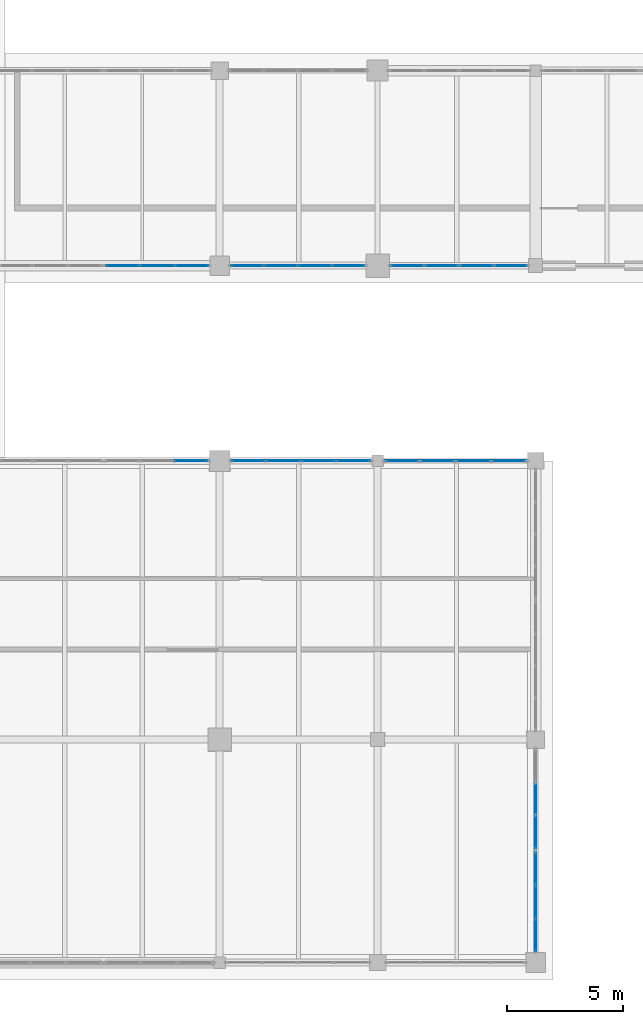
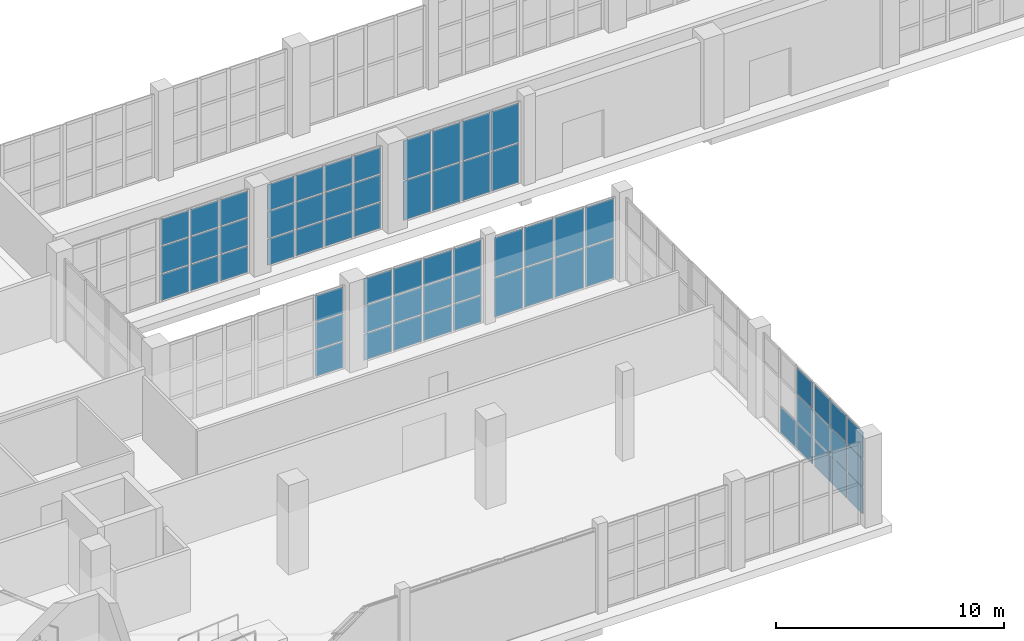
# One storey, part 86 of 121: 65 plates, 8 elements without a shape of their own.
"""IFC4 building model written with IfcOpenShell, lengths in metres."""

from ifc_helpers import new_model, si_unit, direction, frame, origin, origin_2d, place, context, subcontext, project, spatial, rectangle, extrude, material, layer, layer_set, type_object, element, aggregate, save


model = new_model("IFC4")

# Units and contexts
model_context = context("Model", 3, precision=1e-05, world=origin(), true_north=direction((0.0, 1.0)))
body_context = subcontext(model_context, "Body", "Model", "MODEL_VIEW")
ifc_project = project(units=[si_unit("LENGTHUNIT", "METRE"), si_unit("AREAUNIT", "SQUARE_METRE"), si_unit("VOLUMEUNIT", "CUBIC_METRE"), si_unit("PLANEANGLEUNIT", "RADIAN"), si_unit("MASSUNIT", "GRAM", prefix="KILO")], contexts=[model_context])

# Site, building, storey
site_placement = place(None, origin())
site = spatial("IfcSite", under=ifc_project, at=site_placement, CompositionType="ELEMENT")
building_placement = place(site_placement, origin())
building = spatial("IfcBuilding", under=site, at=building_placement, Name="Zereglee Splitstone Museum", CompositionType="ELEMENT")
storey_placement = place(building_placement, origin())
storey = spatial("IfcBuildingStorey", under=building, at=storey_placement, Name="L00", CompositionType="ELEMENT", Elevation=0.0)

# Curtain wall, plates
ifc_material_1 = material(Name="Triple-glazed low-E argon glass and bronze-anodised aluminium", Category="aluminium")
ifc_layer_1 = layer(ifc_material_1, 0.179931640625)
ifc_layer_set_1 = layer_set([ifc_layer_1], Name="Triple-glazed low-E argon glass and bronze-anodised aluminium")
curtain_wall_type_1 = type_object("IfcCurtainWallType", Name="CW-0435-450", PredefinedType="USERDEFINED", material=ifc_layer_set_1)
curtain_wall_1_placement = place(storey_placement, origin())
curtain_wall_1 = element("IfcCurtainWall", 1, at=curtain_wall_1_placement, inside=storey, type_object=curtain_wall_type_1, Name="Glazed Curtain Wall CW-0435-450 (L00)", ObjectType="GLAZED CURTAIN WALL", PredefinedType="USERDEFINED")
ifc_material_2 = material(Name="Triple low-e argon insulated safety glass", Category="glass")
ifc_layer_2 = layer(ifc_material_2, 0.035888671875)
ifc_layer_set_2 = layer_set([ifc_layer_2], Name="Triple low-e argon insulated safety glass")
plate_type = type_object("IfcPlateType", Name="CWP-01", PredefinedType="CURTAIN_PANEL", material=ifc_layer_set_2)
plate_1_placement = place(storey_placement, frame((228.800048828125, 1.174560546875, 0.06494140625), z_axis=(0.0, 0.0, 1.0), x_axis=(0.0, 1.0, 0.0)))
plate_1 = element("IfcPlate", 2, at=plate_1_placement, type_object=plate_type, Name="CW-0435-450 panel 1.1", PredefinedType="CURTAIN_PANEL", context=body_context, shape_type="SweptSolid", body=[
    extrude(rectangle(XDim=1.353271484375, YDim=0.035888671875, at=origin_2d()), origin(), (0.0, 0.0, 1.0), 1.402587890625),
])
plate_2_placement = place(storey_placement, frame((228.800048828125, 1.174560546875, 1.532470703125), z_axis=(0.0, 0.0, 1.0), x_axis=(0.0, 1.0, 0.0)))
plate_2 = element("IfcPlate", 3, at=plate_2_placement, type_object=plate_type, Name="CW-0435-450 panel 1.2", PredefinedType="CURTAIN_PANEL", context=body_context, shape_type="SweptSolid", body=[
    extrude(rectangle(XDim=1.353271484375, YDim=0.035888671875, at=origin_2d()), origin(), (0.0, 0.0, 1.0), 1.43505859375),
])
plate_3_placement = place(storey_placement, frame((228.800048828125, 1.174560546875, 3.0322265625), z_axis=(0.0, 0.0, 1.0), x_axis=(0.0, 1.0, 0.0)))
plate_3 = element("IfcPlate", 4, at=plate_3_placement, type_object=plate_type, Name="CW-0435-450 panel 1.3", PredefinedType="CURTAIN_PANEL", context=body_context, shape_type="SweptSolid", body=[
    extrude(rectangle(XDim=1.353271484375, YDim=0.035888671875, at=origin_2d()), origin(), (0.0, 0.0, 1.0), 1.402587890625),
])
plate_4_placement = place(storey_placement, frame((228.800048828125, 2.60888671875, 0.06494140625), z_axis=(0.0, 0.0, 1.0), x_axis=(0.0, 1.0, 0.0)))
plate_4 = element("IfcPlate", 5, at=plate_4_placement, type_object=plate_type, Name="CW-0435-450 panel 2.1", PredefinedType="CURTAIN_PANEL", context=body_context, shape_type="SweptSolid", body=[
    extrude(rectangle(XDim=1.3857421875, YDim=0.035888671875, at=origin_2d()), origin(), (0.0, 0.0, 1.0), 1.402587890625),
])
plate_5_placement = place(storey_placement, frame((228.800048828125, 2.60888671875, 1.532470703125), z_axis=(0.0, 0.0, 1.0), x_axis=(0.0, 1.0, 0.0)))
plate_5 = element("IfcPlate", 6, at=plate_5_placement, type_object=plate_type, Name="CW-0435-450 panel 2.2", PredefinedType="CURTAIN_PANEL", context=body_context, shape_type="SweptSolid", body=[
    extrude(rectangle(XDim=1.3857421875, YDim=0.035888671875, at=origin_2d()), origin(), (0.0, 0.0, 1.0), 1.43505859375),
])
plate_6_placement = place(storey_placement, frame((228.800048828125, 2.60888671875, 3.0322265625), z_axis=(0.0, 0.0, 1.0), x_axis=(0.0, 1.0, 0.0)))
plate_6 = element("IfcPlate", 7, at=plate_6_placement, type_object=plate_type, Name="CW-0435-450 panel 2.3", PredefinedType="CURTAIN_PANEL", context=body_context, shape_type="SweptSolid", body=[
    extrude(rectangle(XDim=1.3857421875, YDim=0.035888671875, at=origin_2d()), origin(), (0.0, 0.0, 1.0), 1.402587890625),
])
plate_7_placement = place(storey_placement, frame((228.800048828125, 4.04345703125, 0.06494140625), z_axis=(0.0, 0.0, 1.0), x_axis=(0.0, 1.0, 0.0)))
plate_7 = element("IfcPlate", 8, at=plate_7_placement, type_object=plate_type, Name="CW-0435-450 panel 3.1", PredefinedType="CURTAIN_PANEL", context=body_context, shape_type="SweptSolid", body=[
    extrude(rectangle(XDim=1.353271484375, YDim=0.035888671875, at=origin_2d()), origin(), (0.0, 0.0, 1.0), 1.402587890625),
])
plate_8_placement = place(storey_placement, frame((228.800048828125, 4.04345703125, 1.532470703125), z_axis=(0.0, 0.0, 1.0), x_axis=(0.0, 1.0, 0.0)))
plate_8 = element("IfcPlate", 9, at=plate_8_placement, type_object=plate_type, Name="CW-0435-450 panel 3.2", PredefinedType="CURTAIN_PANEL", context=body_context, shape_type="SweptSolid", body=[
    extrude(rectangle(XDim=1.353271484375, YDim=0.035888671875, at=origin_2d()), origin(), (0.0, 0.0, 1.0), 1.43505859375),
])
plate_9_placement = place(storey_placement, frame((228.800048828125, 4.04345703125, 3.0322265625), z_axis=(0.0, 0.0, 1.0), x_axis=(0.0, 1.0, 0.0)))
plate_9 = element("IfcPlate", 10, at=plate_9_placement, type_object=plate_type, Name="CW-0435-450 panel 3.3", PredefinedType="CURTAIN_PANEL", context=body_context, shape_type="SweptSolid", body=[
    extrude(rectangle(XDim=1.353271484375, YDim=0.035888671875, at=origin_2d()), origin(), (0.0, 0.0, 1.0), 1.402587890625),
])
aggregate(curtain_wall_1, [plate_1, plate_2, plate_3, plate_4, plate_5, plate_6, plate_7, plate_8, plate_9])

ifc_layer_3 = layer(ifc_material_1, 0.179931640625)
ifc_layer_set_3 = layer_set([ifc_layer_3], Name="Triple-glazed low-E argon glass and bronze-anodised aluminium")
curtain_wall_type_2 = type_object("IfcCurtainWallType", Name="CW-0435-448", PredefinedType="USERDEFINED", material=ifc_layer_set_3)
curtain_wall_2_placement = place(storey_placement, origin())
curtain_wall_2 = element("IfcCurtainWall", 11, at=curtain_wall_2_placement, inside=storey, type_object=curtain_wall_type_2, Name="Glazed Curtain Wall CW-0435-448 (L00)", ObjectType="GLAZED CURTAIN WALL", PredefinedType="USERDEFINED")
plate_10_placement = place(storey_placement, frame((228.800048828125, 5.606689453125, 0.06494140625), z_axis=(0.0, 0.0, 1.0), x_axis=(0.0, 1.0, 0.0)))
plate_10 = element("IfcPlate", 12, at=plate_10_placement, type_object=plate_type, Name="CW-0435-448 panel 1.1", PredefinedType="CURTAIN_PANEL", context=body_context, shape_type="SweptSolid", body=[
    extrude(rectangle(XDim=1.353271484375, YDim=0.035888671875, at=origin_2d()), origin(), (0.0, 0.0, 1.0), 1.395751953125),
])
plate_11_placement = place(storey_placement, frame((228.800048828125, 5.606689453125, 1.52587890625), z_axis=(0.0, 0.0, 1.0), x_axis=(0.0, 1.0, 0.0)))
plate_11 = element("IfcPlate", 13, at=plate_11_placement, type_object=plate_type, Name="CW-0435-448 panel 1.2", PredefinedType="CURTAIN_PANEL", context=body_context, shape_type="SweptSolid", body=[
    extrude(rectangle(XDim=1.353271484375, YDim=0.035888671875, at=origin_2d()), origin(), (0.0, 0.0, 1.0), 1.428466796875),
])
plate_12_placement = place(storey_placement, frame((228.800048828125, 5.606689453125, 3.01904296875), z_axis=(0.0, 0.0, 1.0), x_axis=(0.0, 1.0, 0.0)))
plate_12 = element("IfcPlate", 14, at=plate_12_placement, type_object=plate_type, Name="CW-0435-448 panel 1.3", PredefinedType="CURTAIN_PANEL", context=body_context, shape_type="SweptSolid", body=[
    extrude(rectangle(XDim=1.353271484375, YDim=0.035888671875, at=origin_2d()), origin(), (0.0, 0.0, 1.0), 1.395751953125),
])
plate_13_placement = place(storey_placement, frame((228.800048828125, 7.041015625, 0.06494140625), z_axis=(0.0, 0.0, 1.0), x_axis=(0.0, 1.0, 0.0)))
plate_13 = element("IfcPlate", 15, at=plate_13_placement, type_object=plate_type, Name="CW-0435-448 panel 2.1", PredefinedType="CURTAIN_PANEL", context=body_context, shape_type="SweptSolid", body=[
    extrude(rectangle(XDim=1.3857421875, YDim=0.035888671875, at=origin_2d()), origin(), (0.0, 0.0, 1.0), 1.395751953125),
])
aggregate(curtain_wall_2, [plate_10, plate_11, plate_12, plate_13])

ifc_layer_4 = layer(ifc_material_1, 0.179931640625)
ifc_layer_set_4 = layer_set([ifc_layer_4], Name="Triple-glazed low-E argon glass and bronze-anodised aluminium")
curtain_wall_type_3 = type_object("IfcCurtainWallType", Name="CW-0618-438", PredefinedType="USERDEFINED", material=ifc_layer_set_4)
curtain_wall_3_placement = place(storey_placement, origin())
curtain_wall_3 = element("IfcCurtainWall", 16, at=curtain_wall_3_placement, inside=storey, type_object=curtain_wall_type_3, Name="Glazed Curtain Wall CW-0618-438 (L00)", ObjectType="GLAZED CURTAIN WALL", PredefinedType="USERDEFINED")
plate_14_placement = place(storey_placement, frame((227.65283203125, 21.60009765625, 0.06494140625), z_axis=(0.0, 0.0, 1.0), x_axis=(-1.0, 0.0, 0.0)))
plate_14 = element("IfcPlate", 17, at=plate_14_placement, type_object=plate_type, Name="CW-0618-438 panel 1.1", PredefinedType="CURTAIN_PANEL", context=body_context, shape_type="SweptSolid", body=[
    extrude(rectangle(XDim=1.448486328125, YDim=0.035888671875, at=origin_2d()), origin(), (0.0, 0.0, 1.0), 2.092529296875),
])
plate_15_placement = place(storey_placement, frame((227.65283203125, 21.60009765625, 2.22265625), z_axis=(0.0, 0.0, 1.0), x_axis=(-1.0, 0.0, 0.0)))
plate_15 = element("IfcPlate", 18, at=plate_15_placement, type_object=plate_type, Name="CW-0618-438 panel 1.2", PredefinedType="CURTAIN_PANEL", context=body_context, shape_type="SweptSolid", body=[
    extrude(rectangle(XDim=1.448486328125, YDim=0.035888671875, at=origin_2d()), origin(), (0.0, 0.0, 1.0), 2.092529296875),
])
plate_16_placement = place(storey_placement, frame((226.123046875, 21.60009765625, 0.06494140625), z_axis=(0.0, 0.0, 1.0), x_axis=(-1.0, 0.0, 0.0)))
plate_16 = element("IfcPlate", 19, at=plate_16_placement, type_object=plate_type, Name="CW-0618-438 panel 2.1", PredefinedType="CURTAIN_PANEL", context=body_context, shape_type="SweptSolid", body=[
    extrude(rectangle(XDim=1.48095703125, YDim=0.035888671875, at=origin_2d()), origin(), (0.0, 0.0, 1.0), 2.092529296875),
])
plate_17_placement = place(storey_placement, frame((226.123046875, 21.60009765625, 2.22265625), z_axis=(0.0, 0.0, 1.0), x_axis=(-1.0, 0.0, 0.0)))
plate_17 = element("IfcPlate", 20, at=plate_17_placement, type_object=plate_type, Name="CW-0618-438 panel 2.2", PredefinedType="CURTAIN_PANEL", context=body_context, shape_type="SweptSolid", body=[
    extrude(rectangle(XDim=1.48095703125, YDim=0.035888671875, at=origin_2d()), origin(), (0.0, 0.0, 1.0), 2.092529296875),
])
plate_18_placement = place(storey_placement, frame((224.576904296875, 21.60009765625, 0.06494140625), z_axis=(0.0, 0.0, 1.0), x_axis=(-1.0, 0.0, 0.0)))
plate_18 = element("IfcPlate", 21, at=plate_18_placement, type_object=plate_type, Name="CW-0618-438 panel 3.1", PredefinedType="CURTAIN_PANEL", context=body_context, shape_type="SweptSolid", body=[
    extrude(rectangle(XDim=1.48095703125, YDim=0.035888671875, at=origin_2d()), origin(), (0.0, 0.0, 1.0), 2.092529296875),
])
plate_19_placement = place(storey_placement, frame((224.576904296875, 21.60009765625, 2.22265625), z_axis=(0.0, 0.0, 1.0), x_axis=(-1.0, 0.0, 0.0)))
plate_19 = element("IfcPlate", 22, at=plate_19_placement, type_object=plate_type, Name="CW-0618-438 panel 3.2", PredefinedType="CURTAIN_PANEL", context=body_context, shape_type="SweptSolid", body=[
    extrude(rectangle(XDim=1.48095703125, YDim=0.035888671875, at=origin_2d()), origin(), (0.0, 0.0, 1.0), 2.092529296875),
])
plate_20_placement = place(storey_placement, frame((223.04736328125, 21.60009765625, 0.06494140625), z_axis=(0.0, 0.0, 1.0), x_axis=(-1.0, 0.0, 0.0)))
plate_20 = element("IfcPlate", 23, at=plate_20_placement, type_object=plate_type, Name="CW-0618-438 panel 4.1", PredefinedType="CURTAIN_PANEL", context=body_context, shape_type="SweptSolid", body=[
    extrude(rectangle(XDim=1.448486328125, YDim=0.035888671875, at=origin_2d()), origin(), (0.0, 0.0, 1.0), 2.092529296875),
])
plate_21_placement = place(storey_placement, frame((223.04736328125, 21.60009765625, 2.22265625), z_axis=(0.0, 0.0, 1.0), x_axis=(-1.0, 0.0, 0.0)))
plate_21 = element("IfcPlate", 24, at=plate_21_placement, type_object=plate_type, Name="CW-0618-438 panel 4.2", PredefinedType="CURTAIN_PANEL", context=body_context, shape_type="SweptSolid", body=[
    extrude(rectangle(XDim=1.448486328125, YDim=0.035888671875, at=origin_2d()), origin(), (0.0, 0.0, 1.0), 2.092529296875),
])
aggregate(curtain_wall_3, [plate_14, plate_15, plate_16, plate_17, plate_18, plate_19, plate_20, plate_21])

ifc_layer_5 = layer(ifc_material_1, 0.179931640625)
ifc_layer_set_5 = layer_set([ifc_layer_5], Name="Triple-glazed low-E argon glass and bronze-anodised aluminium")
curtain_wall_type_4 = type_object("IfcCurtainWallType", Name="CW-0608-450", PredefinedType="USERDEFINED", material=ifc_layer_set_5)
curtain_wall_4_placement = place(storey_placement, origin())
curtain_wall_4 = element("IfcCurtainWall", 25, at=curtain_wall_4_placement, inside=storey, type_object=curtain_wall_type_4, Name="Glazed Curtain Wall CW-0608-450 (L00)", ObjectType="GLAZED CURTAIN WALL", PredefinedType="USERDEFINED")
plate_22_placement = place(storey_placement, frame((220.96533203125, 21.60009765625, 0.06494140625), z_axis=(0.0, 0.0, 1.0), x_axis=(-1.0, 0.0, 0.0)))
plate_22 = element("IfcPlate", 26, at=plate_22_placement, type_object=plate_type, Name="CW-0608-450 panel 1.1", PredefinedType="CURTAIN_PANEL", context=body_context, shape_type="SweptSolid", body=[
    extrude(rectangle(XDim=1.423583984375, YDim=0.035888671875, at=origin_2d()), origin(), (0.0, 0.0, 1.0), 1.402587890625),
])
plate_23_placement = place(storey_placement, frame((220.96533203125, 21.60009765625, 1.532470703125), z_axis=(0.0, 0.0, 1.0), x_axis=(-1.0, 0.0, 0.0)))
plate_23 = element("IfcPlate", 27, at=plate_23_placement, type_object=plate_type, Name="CW-0608-450 panel 1.2", PredefinedType="CURTAIN_PANEL", context=body_context, shape_type="SweptSolid", body=[
    extrude(rectangle(XDim=1.423583984375, YDim=0.035888671875, at=origin_2d()), origin(), (0.0, 0.0, 1.0), 1.43505859375),
])
plate_24_placement = place(storey_placement, frame((220.96533203125, 21.60009765625, 3.0322265625), z_axis=(0.0, 0.0, 1.0), x_axis=(-1.0, 0.0, 0.0)))
plate_24 = element("IfcPlate", 28, at=plate_24_placement, type_object=plate_type, Name="CW-0608-450 panel 1.3", PredefinedType="CURTAIN_PANEL", context=body_context, shape_type="SweptSolid", body=[
    extrude(rectangle(XDim=1.423583984375, YDim=0.035888671875, at=origin_2d()), origin(), (0.0, 0.0, 1.0), 1.402587890625),
])
plate_25_placement = place(storey_placement, frame((219.46044921875, 21.60009765625, 0.06494140625), z_axis=(0.0, 0.0, 1.0), x_axis=(-1.0, 0.0, 0.0)))
plate_25 = element("IfcPlate", 29, at=plate_25_placement, type_object=plate_type, Name="CW-0608-450 panel 2.1", PredefinedType="CURTAIN_PANEL", context=body_context, shape_type="SweptSolid", body=[
    extrude(rectangle(XDim=1.4560546875, YDim=0.035888671875, at=origin_2d()), origin(), (0.0, 0.0, 1.0), 1.402587890625),
])
plate_26_placement = place(storey_placement, frame((219.46044921875, 21.60009765625, 1.532470703125), z_axis=(0.0, 0.0, 1.0), x_axis=(-1.0, 0.0, 0.0)))
plate_26 = element("IfcPlate", 30, at=plate_26_placement, type_object=plate_type, Name="CW-0608-450 panel 2.2", PredefinedType="CURTAIN_PANEL", context=body_context, shape_type="SweptSolid", body=[
    extrude(rectangle(XDim=1.4560546875, YDim=0.035888671875, at=origin_2d()), origin(), (0.0, 0.0, 1.0), 1.43505859375),
])
plate_27_placement = place(storey_placement, frame((219.46044921875, 21.60009765625, 3.0322265625), z_axis=(0.0, 0.0, 1.0), x_axis=(-1.0, 0.0, 0.0)))
plate_27 = element("IfcPlate", 31, at=plate_27_placement, type_object=plate_type, Name="CW-0608-450 panel 2.3", PredefinedType="CURTAIN_PANEL", context=body_context, shape_type="SweptSolid", body=[
    extrude(rectangle(XDim=1.4560546875, YDim=0.035888671875, at=origin_2d()), origin(), (0.0, 0.0, 1.0), 1.402587890625),
])
plate_28_placement = place(storey_placement, frame((217.939453125, 21.60009765625, 0.06494140625), z_axis=(0.0, 0.0, 1.0), x_axis=(-1.0, 0.0, 0.0)))
plate_28 = element("IfcPlate", 32, at=plate_28_placement, type_object=plate_type, Name="CW-0608-450 panel 3.1", PredefinedType="CURTAIN_PANEL", context=body_context, shape_type="SweptSolid", body=[
    extrude(rectangle(XDim=1.4560546875, YDim=0.035888671875, at=origin_2d()), origin(), (0.0, 0.0, 1.0), 1.402587890625),
])
plate_29_placement = place(storey_placement, frame((217.939453125, 21.60009765625, 1.532470703125), z_axis=(0.0, 0.0, 1.0), x_axis=(-1.0, 0.0, 0.0)))
plate_29 = element("IfcPlate", 33, at=plate_29_placement, type_object=plate_type, Name="CW-0608-450 panel 3.2", PredefinedType="CURTAIN_PANEL", context=body_context, shape_type="SweptSolid", body=[
    extrude(rectangle(XDim=1.4560546875, YDim=0.035888671875, at=origin_2d()), origin(), (0.0, 0.0, 1.0), 1.43505859375),
])
plate_30_placement = place(storey_placement, frame((217.939453125, 21.60009765625, 3.0322265625), z_axis=(0.0, 0.0, 1.0), x_axis=(-1.0, 0.0, 0.0)))
plate_30 = element("IfcPlate", 34, at=plate_30_placement, type_object=plate_type, Name="CW-0608-450 panel 3.3", PredefinedType="CURTAIN_PANEL", context=body_context, shape_type="SweptSolid", body=[
    extrude(rectangle(XDim=1.4560546875, YDim=0.035888671875, at=origin_2d()), origin(), (0.0, 0.0, 1.0), 1.402587890625),
])
plate_31_placement = place(storey_placement, frame((216.434814453125, 21.60009765625, 0.06494140625), z_axis=(0.0, 0.0, 1.0), x_axis=(-1.0, 0.0, 0.0)))
plate_31 = element("IfcPlate", 35, at=plate_31_placement, type_object=plate_type, Name="CW-0608-450 panel 4.1", PredefinedType="CURTAIN_PANEL", context=body_context, shape_type="SweptSolid", body=[
    extrude(rectangle(XDim=1.423583984375, YDim=0.035888671875, at=origin_2d()), origin(), (0.0, 0.0, 1.0), 1.402587890625),
])
plate_32_placement = place(storey_placement, frame((216.434814453125, 21.60009765625, 1.532470703125), z_axis=(0.0, 0.0, 1.0), x_axis=(-1.0, 0.0, 0.0)))
plate_32 = element("IfcPlate", 36, at=plate_32_placement, type_object=plate_type, Name="CW-0608-450 panel 4.2", PredefinedType="CURTAIN_PANEL", context=body_context, shape_type="SweptSolid", body=[
    extrude(rectangle(XDim=1.423583984375, YDim=0.035888671875, at=origin_2d()), origin(), (0.0, 0.0, 1.0), 1.43505859375),
])
plate_33_placement = place(storey_placement, frame((216.434814453125, 21.60009765625, 3.0322265625), z_axis=(0.0, 0.0, 1.0), x_axis=(-1.0, 0.0, 0.0)))
plate_33 = element("IfcPlate", 37, at=plate_33_placement, type_object=plate_type, Name="CW-0608-450 panel 4.3", PredefinedType="CURTAIN_PANEL", context=body_context, shape_type="SweptSolid", body=[
    extrude(rectangle(XDim=1.423583984375, YDim=0.035888671875, at=origin_2d()), origin(), (0.0, 0.0, 1.0), 1.402587890625),
])
aggregate(curtain_wall_4, [plate_22, plate_23, plate_24, plate_25, plate_26, plate_27, plate_28, plate_29, plate_30, plate_31, plate_32, plate_33])

ifc_layer_6 = layer(ifc_material_1, 0.179931640625)
ifc_layer_set_6 = layer_set([ifc_layer_6], Name="Triple-glazed low-E argon glass and bronze-anodised aluminium")
curtain_wall_type_5 = type_object("IfcCurtainWallType", Name="CW-0450-444", PredefinedType="USERDEFINED", material=ifc_layer_set_6)
curtain_wall_5_placement = place(storey_placement, origin())
curtain_wall_5 = element("IfcCurtainWall", 38, at=curtain_wall_5_placement, inside=storey, type_object=curtain_wall_type_5, Name="Glazed Curtain Wall CW-0450-444 (L00)", ObjectType="GLAZED CURTAIN WALL", PredefinedType="USERDEFINED")
plate_34_placement = place(storey_placement, frame((213.975341796875, 21.60009765625, 0.06494140625), z_axis=(0.0, 0.0, 1.0), x_axis=(-1.0, 0.0, 0.0)))
plate_34 = element("IfcPlate", 39, at=plate_34_placement, type_object=plate_type, Name="CW-0450-444 panel 1.1", PredefinedType="CURTAIN_PANEL", context=body_context, shape_type="SweptSolid", body=[
    extrude(rectangle(XDim=1.403076171875, YDim=0.035888671875, at=origin_2d()), origin(), (0.0, 0.0, 1.0), 1.382568359375),
])
plate_35_placement = place(storey_placement, frame((213.975341796875, 21.60009765625, 1.512451171875), z_axis=(0.0, 0.0, 1.0), x_axis=(-1.0, 0.0, 0.0)))
plate_35 = element("IfcPlate", 40, at=plate_35_placement, type_object=plate_type, Name="CW-0450-444 panel 1.2", PredefinedType="CURTAIN_PANEL", context=body_context, shape_type="SweptSolid", body=[
    extrude(rectangle(XDim=1.403076171875, YDim=0.035888671875, at=origin_2d()), origin(), (0.0, 0.0, 1.0), 1.4150390625),
])
plate_36_placement = place(storey_placement, frame((213.975341796875, 21.60009765625, 2.99267578125), z_axis=(0.0, 0.0, 1.0), x_axis=(-1.0, 0.0, 0.0)))
plate_36 = element("IfcPlate", 41, at=plate_36_placement, type_object=plate_type, Name="CW-0450-444 panel 1.3", PredefinedType="CURTAIN_PANEL", context=body_context, shape_type="SweptSolid", body=[
    extrude(rectangle(XDim=1.403076171875, YDim=0.035888671875, at=origin_2d()), origin(), (0.0, 0.0, 1.0), 1.382568359375),
])
aggregate(curtain_wall_5, [plate_34, plate_35, plate_36])

ifc_layer_7 = layer(ifc_material_1, 0.179931640625)
ifc_layer_set_7 = layer_set([ifc_layer_7], Name="Triple-glazed low-E argon glass and bronze-anodised aluminium")
curtain_wall_type_6 = type_object("IfcCurtainWallType", Name="CW-0453-448", PredefinedType="USERDEFINED", material=ifc_layer_set_7)
curtain_wall_6_placement = place(storey_placement, origin())
curtain_wall_6 = element("IfcCurtainWall", 42, at=curtain_wall_6_placement, inside=storey, type_object=curtain_wall_type_6, Name="Glazed Curtain Wall CW-0453-448 (L00)", ObjectType="GLAZED CURTAIN WALL", PredefinedType="USERDEFINED")
plate_37_placement = place(storey_placement, frame((211.0107421875, 30.0, 0.06494140625), z_axis=(0.0, 0.0, 1.0), x_axis=(1.0, 0.0, 0.0)))
plate_37 = element("IfcPlate", 43, at=plate_37_placement, type_object=plate_type, Name="CW-0453-448 panel 1.1", PredefinedType="CURTAIN_PANEL", context=body_context, shape_type="SweptSolid", body=[
    extrude(rectangle(XDim=1.41162109375, YDim=0.035888671875, at=origin_2d()), origin(), (0.0, 0.0, 1.0), 1.395751953125),
])
plate_38_placement = place(storey_placement, frame((211.0107421875, 30.0, 1.52587890625), z_axis=(0.0, 0.0, 1.0), x_axis=(1.0, 0.0, 0.0)))
plate_38 = element("IfcPlate", 44, at=plate_38_placement, type_object=plate_type, Name="CW-0453-448 panel 1.2", PredefinedType="CURTAIN_PANEL", context=body_context, shape_type="SweptSolid", body=[
    extrude(rectangle(XDim=1.41162109375, YDim=0.035888671875, at=origin_2d()), origin(), (0.0, 0.0, 1.0), 1.428466796875),
])
plate_39_placement = place(storey_placement, frame((211.0107421875, 30.0, 3.01904296875), z_axis=(0.0, 0.0, 1.0), x_axis=(1.0, 0.0, 0.0)))
plate_39 = element("IfcPlate", 45, at=plate_39_placement, type_object=plate_type, Name="CW-0453-448 panel 1.3", PredefinedType="CURTAIN_PANEL", context=body_context, shape_type="SweptSolid", body=[
    extrude(rectangle(XDim=1.41162109375, YDim=0.035888671875, at=origin_2d()), origin(), (0.0, 0.0, 1.0), 1.395751953125),
])
plate_40_placement = place(storey_placement, frame((212.50341796875, 30.0, 0.06494140625), z_axis=(0.0, 0.0, 1.0), x_axis=(1.0, 0.0, 0.0)))
plate_40 = element("IfcPlate", 46, at=plate_40_placement, type_object=plate_type, Name="CW-0453-448 panel 2.1", PredefinedType="CURTAIN_PANEL", context=body_context, shape_type="SweptSolid", body=[
    extrude(rectangle(XDim=1.444091796875, YDim=0.035888671875, at=origin_2d()), origin(), (0.0, 0.0, 1.0), 1.395751953125),
])
plate_41_placement = place(storey_placement, frame((212.50341796875, 30.0, 1.52587890625), z_axis=(0.0, 0.0, 1.0), x_axis=(1.0, 0.0, 0.0)))
plate_41 = element("IfcPlate", 47, at=plate_41_placement, type_object=plate_type, Name="CW-0453-448 panel 2.2", PredefinedType="CURTAIN_PANEL", context=body_context, shape_type="SweptSolid", body=[
    extrude(rectangle(XDim=1.444091796875, YDim=0.035888671875, at=origin_2d()), origin(), (0.0, 0.0, 1.0), 1.428466796875),
])
plate_42_placement = place(storey_placement, frame((212.50341796875, 30.0, 3.01904296875), z_axis=(0.0, 0.0, 1.0), x_axis=(1.0, 0.0, 0.0)))
plate_42 = element("IfcPlate", 48, at=plate_42_placement, type_object=plate_type, Name="CW-0453-448 panel 2.3", PredefinedType="CURTAIN_PANEL", context=body_context, shape_type="SweptSolid", body=[
    extrude(rectangle(XDim=1.444091796875, YDim=0.035888671875, at=origin_2d()), origin(), (0.0, 0.0, 1.0), 1.395751953125),
])
plate_43_placement = place(storey_placement, frame((213.996337890625, 30.0, 0.06494140625), z_axis=(0.0, 0.0, 1.0), x_axis=(1.0, 0.0, 0.0)))
plate_43 = element("IfcPlate", 49, at=plate_43_placement, type_object=plate_type, Name="CW-0453-448 panel 3.1", PredefinedType="CURTAIN_PANEL", context=body_context, shape_type="SweptSolid", body=[
    extrude(rectangle(XDim=1.41162109375, YDim=0.035888671875, at=origin_2d()), origin(), (0.0, 0.0, 1.0), 1.395751953125),
])
plate_44_placement = place(storey_placement, frame((213.996337890625, 30.0, 1.52587890625), z_axis=(0.0, 0.0, 1.0), x_axis=(1.0, 0.0, 0.0)))
plate_44 = element("IfcPlate", 50, at=plate_44_placement, type_object=plate_type, Name="CW-0453-448 panel 3.2", PredefinedType="CURTAIN_PANEL", context=body_context, shape_type="SweptSolid", body=[
    extrude(rectangle(XDim=1.41162109375, YDim=0.035888671875, at=origin_2d()), origin(), (0.0, 0.0, 1.0), 1.428466796875),
])
plate_45_placement = place(storey_placement, frame((213.996337890625, 30.0, 3.01904296875), z_axis=(0.0, 0.0, 1.0), x_axis=(1.0, 0.0, 0.0)))
plate_45 = element("IfcPlate", 51, at=plate_45_placement, type_object=plate_type, Name="CW-0453-448 panel 3.3", PredefinedType="CURTAIN_PANEL", context=body_context, shape_type="SweptSolid", body=[
    extrude(rectangle(XDim=1.41162109375, YDim=0.035888671875, at=origin_2d()), origin(), (0.0, 0.0, 1.0), 1.395751953125),
])
aggregate(curtain_wall_6, [plate_37, plate_38, plate_39, plate_40, plate_41, plate_42, plate_43, plate_44, plate_45])

ifc_layer_8 = layer(ifc_material_1, 0.179931640625)
ifc_layer_set_8 = layer_set([ifc_layer_8], Name="Triple-glazed low-E argon glass and bronze-anodised aluminium")
curtain_wall_type_7 = type_object("IfcCurtainWallType", Name="CW-0586-444", PredefinedType="USERDEFINED", material=ifc_layer_set_8)
curtain_wall_7_placement = place(storey_placement, origin())
curtain_wall_7 = element("IfcCurtainWall", 52, at=curtain_wall_7_placement, inside=storey, type_object=curtain_wall_type_7, Name="Glazed Curtain Wall CW-0586-444 (L00)", ObjectType="GLAZED CURTAIN WALL", PredefinedType="USERDEFINED")
plate_46_placement = place(storey_placement, frame((216.381591796875, 30.0, 0.06494140625), z_axis=(0.0, 0.0, 1.0), x_axis=(1.0, 0.0, 0.0)))
plate_46 = element("IfcPlate", 53, at=plate_46_placement, type_object=plate_type, Name="CW-0586-444 panel 1.1", PredefinedType="CURTAIN_PANEL", context=body_context, shape_type="SweptSolid", body=[
    extrude(rectangle(XDim=1.3671875, YDim=0.035888671875, at=origin_2d()), origin(), (0.0, 0.0, 1.0), 1.382568359375),
])
plate_47_placement = place(storey_placement, frame((216.381591796875, 30.0, 1.512451171875), z_axis=(0.0, 0.0, 1.0), x_axis=(1.0, 0.0, 0.0)))
plate_47 = element("IfcPlate", 54, at=plate_47_placement, type_object=plate_type, Name="CW-0586-444 panel 1.2", PredefinedType="CURTAIN_PANEL", context=body_context, shape_type="SweptSolid", body=[
    extrude(rectangle(XDim=1.3671875, YDim=0.035888671875, at=origin_2d()), origin(), (0.0, 0.0, 1.0), 1.4150390625),
])
plate_48_placement = place(storey_placement, frame((216.381591796875, 30.0, 2.99267578125), z_axis=(0.0, 0.0, 1.0), x_axis=(1.0, 0.0, 0.0)))
plate_48 = element("IfcPlate", 55, at=plate_48_placement, type_object=plate_type, Name="CW-0586-444 panel 1.3", PredefinedType="CURTAIN_PANEL", context=body_context, shape_type="SweptSolid", body=[
    extrude(rectangle(XDim=1.3671875, YDim=0.035888671875, at=origin_2d()), origin(), (0.0, 0.0, 1.0), 1.382568359375),
])
plate_49_placement = place(storey_placement, frame((217.830078125, 30.0, 0.06494140625), z_axis=(0.0, 0.0, 1.0), x_axis=(1.0, 0.0, 0.0)))
plate_49 = element("IfcPlate", 56, at=plate_49_placement, type_object=plate_type, Name="CW-0586-444 panel 2.1", PredefinedType="CURTAIN_PANEL", context=body_context, shape_type="SweptSolid", body=[
    extrude(rectangle(XDim=1.399658203125, YDim=0.035888671875, at=origin_2d()), origin(), (0.0, 0.0, 1.0), 1.382568359375),
])
plate_50_placement = place(storey_placement, frame((217.830078125, 30.0, 1.512451171875), z_axis=(0.0, 0.0, 1.0), x_axis=(1.0, 0.0, 0.0)))
plate_50 = element("IfcPlate", 57, at=plate_50_placement, type_object=plate_type, Name="CW-0586-444 panel 2.2", PredefinedType="CURTAIN_PANEL", context=body_context, shape_type="SweptSolid", body=[
    extrude(rectangle(XDim=1.399658203125, YDim=0.035888671875, at=origin_2d()), origin(), (0.0, 0.0, 1.0), 1.4150390625),
])
plate_51_placement = place(storey_placement, frame((217.830078125, 30.0, 2.99267578125), z_axis=(0.0, 0.0, 1.0), x_axis=(1.0, 0.0, 0.0)))
plate_51 = element("IfcPlate", 58, at=plate_51_placement, type_object=plate_type, Name="CW-0586-444 panel 2.3", PredefinedType="CURTAIN_PANEL", context=body_context, shape_type="SweptSolid", body=[
    extrude(rectangle(XDim=1.399658203125, YDim=0.035888671875, at=origin_2d()), origin(), (0.0, 0.0, 1.0), 1.382568359375),
])
plate_52_placement = place(storey_placement, frame((219.294921875, 30.0, 0.06494140625), z_axis=(0.0, 0.0, 1.0), x_axis=(1.0, 0.0, 0.0)))
plate_52 = element("IfcPlate", 59, at=plate_52_placement, type_object=plate_type, Name="CW-0586-444 panel 3.1", PredefinedType="CURTAIN_PANEL", context=body_context, shape_type="SweptSolid", body=[
    extrude(rectangle(XDim=1.399658203125, YDim=0.035888671875, at=origin_2d()), origin(), (0.0, 0.0, 1.0), 1.382568359375),
])
plate_53_placement = place(storey_placement, frame((219.294921875, 30.0, 1.512451171875), z_axis=(0.0, 0.0, 1.0), x_axis=(1.0, 0.0, 0.0)))
plate_53 = element("IfcPlate", 60, at=plate_53_placement, type_object=plate_type, Name="CW-0586-444 panel 3.2", PredefinedType="CURTAIN_PANEL", context=body_context, shape_type="SweptSolid", body=[
    extrude(rectangle(XDim=1.399658203125, YDim=0.035888671875, at=origin_2d()), origin(), (0.0, 0.0, 1.0), 1.4150390625),
])
plate_54_placement = place(storey_placement, frame((219.294921875, 30.0, 2.99267578125), z_axis=(0.0, 0.0, 1.0), x_axis=(1.0, 0.0, 0.0)))
plate_54 = element("IfcPlate", 61, at=plate_54_placement, type_object=plate_type, Name="CW-0586-444 panel 3.3", PredefinedType="CURTAIN_PANEL", context=body_context, shape_type="SweptSolid", body=[
    extrude(rectangle(XDim=1.399658203125, YDim=0.035888671875, at=origin_2d()), origin(), (0.0, 0.0, 1.0), 1.382568359375),
])
plate_55_placement = place(storey_placement, frame((220.743408203125, 30.0, 0.06494140625), z_axis=(0.0, 0.0, 1.0), x_axis=(1.0, 0.0, 0.0)))
plate_55 = element("IfcPlate", 62, at=plate_55_placement, type_object=plate_type, Name="CW-0586-444 panel 4.1", PredefinedType="CURTAIN_PANEL", context=body_context, shape_type="SweptSolid", body=[
    extrude(rectangle(XDim=1.3671875, YDim=0.035888671875, at=origin_2d()), origin(), (0.0, 0.0, 1.0), 1.382568359375),
])
plate_56_placement = place(storey_placement, frame((220.743408203125, 30.0, 1.512451171875), z_axis=(0.0, 0.0, 1.0), x_axis=(1.0, 0.0, 0.0)))
plate_56 = element("IfcPlate", 63, at=plate_56_placement, type_object=plate_type, Name="CW-0586-444 panel 4.2", PredefinedType="CURTAIN_PANEL", context=body_context, shape_type="SweptSolid", body=[
    extrude(rectangle(XDim=1.3671875, YDim=0.035888671875, at=origin_2d()), origin(), (0.0, 0.0, 1.0), 1.4150390625),
])
plate_57_placement = place(storey_placement, frame((220.743408203125, 30.0, 2.99267578125), z_axis=(0.0, 0.0, 1.0), x_axis=(1.0, 0.0, 0.0)))
plate_57 = element("IfcPlate", 64, at=plate_57_placement, type_object=plate_type, Name="CW-0586-444 panel 4.3", PredefinedType="CURTAIN_PANEL", context=body_context, shape_type="SweptSolid", body=[
    extrude(rectangle(XDim=1.3671875, YDim=0.035888671875, at=origin_2d()), origin(), (0.0, 0.0, 1.0), 1.382568359375),
])
aggregate(curtain_wall_7, [plate_46, plate_47, plate_48, plate_49, plate_50, plate_51, plate_52, plate_53, plate_54, plate_55, plate_56, plate_57])

ifc_layer_9 = layer(ifc_material_1, 0.179931640625)
ifc_layer_set_9 = layer_set([ifc_layer_9], Name="Triple-glazed low-E argon glass and bronze-anodised aluminium")
curtain_wall_type_8 = type_object("IfcCurtainWallType", Name="CW-0598-438", PredefinedType="USERDEFINED", material=ifc_layer_set_9)
curtain_wall_8_placement = place(storey_placement, origin())
curtain_wall_8 = element("IfcCurtainWall", 65, at=curtain_wall_8_placement, inside=storey, type_object=curtain_wall_type_8, Name="Glazed Curtain Wall CW-0598-438 (L00)", ObjectType="GLAZED CURTAIN WALL", PredefinedType="USERDEFINED")
plate_58_placement = place(storey_placement, frame((223.272216796875, 30.0, 0.06494140625), z_axis=(0.0, 0.0, 1.0), x_axis=(1.0, 0.0, 0.0)))
plate_58 = element("IfcPlate", 66, at=plate_58_placement, type_object=plate_type, Name="CW-0598-438 panel 1.1", PredefinedType="CURTAIN_PANEL", context=body_context, shape_type="SweptSolid", body=[
    extrude(rectangle(XDim=1.3984375, YDim=0.035888671875, at=origin_2d()), origin(), (0.0, 0.0, 1.0), 2.092529296875),
])
plate_59_placement = place(storey_placement, frame((223.272216796875, 30.0, 2.22265625), z_axis=(0.0, 0.0, 1.0), x_axis=(1.0, 0.0, 0.0)))
plate_59 = element("IfcPlate", 67, at=plate_59_placement, type_object=plate_type, Name="CW-0598-438 panel 1.2", PredefinedType="CURTAIN_PANEL", context=body_context, shape_type="SweptSolid", body=[
    extrude(rectangle(XDim=1.3984375, YDim=0.035888671875, at=origin_2d()), origin(), (0.0, 0.0, 1.0), 2.092529296875),
])
plate_60_placement = place(storey_placement, frame((224.751953125, 30.0, 0.06494140625), z_axis=(0.0, 0.0, 1.0), x_axis=(1.0, 0.0, 0.0)))
plate_60 = element("IfcPlate", 68, at=plate_60_placement, type_object=plate_type, Name="CW-0598-438 panel 2.1", PredefinedType="CURTAIN_PANEL", context=body_context, shape_type="SweptSolid", body=[
    extrude(rectangle(XDim=1.430908203125, YDim=0.035888671875, at=origin_2d()), origin(), (0.0, 0.0, 1.0), 2.092529296875),
])
plate_61_placement = place(storey_placement, frame((224.751953125, 30.0, 2.22265625), z_axis=(0.0, 0.0, 1.0), x_axis=(1.0, 0.0, 0.0)))
plate_61 = element("IfcPlate", 69, at=plate_61_placement, type_object=plate_type, Name="CW-0598-438 panel 2.2", PredefinedType="CURTAIN_PANEL", context=body_context, shape_type="SweptSolid", body=[
    extrude(rectangle(XDim=1.430908203125, YDim=0.035888671875, at=origin_2d()), origin(), (0.0, 0.0, 1.0), 2.092529296875),
])
plate_62_placement = place(storey_placement, frame((226.248046875, 30.0, 0.06494140625), z_axis=(0.0, 0.0, 1.0), x_axis=(1.0, 0.0, 0.0)))
plate_62 = element("IfcPlate", 70, at=plate_62_placement, type_object=plate_type, Name="CW-0598-438 panel 3.1", PredefinedType="CURTAIN_PANEL", context=body_context, shape_type="SweptSolid", body=[
    extrude(rectangle(XDim=1.430908203125, YDim=0.035888671875, at=origin_2d()), origin(), (0.0, 0.0, 1.0), 2.092529296875),
])
plate_63_placement = place(storey_placement, frame((226.248046875, 30.0, 2.22265625), z_axis=(0.0, 0.0, 1.0), x_axis=(1.0, 0.0, 0.0)))
plate_63 = element("IfcPlate", 71, at=plate_63_placement, type_object=plate_type, Name="CW-0598-438 panel 3.2", PredefinedType="CURTAIN_PANEL", context=body_context, shape_type="SweptSolid", body=[
    extrude(rectangle(XDim=1.430908203125, YDim=0.035888671875, at=origin_2d()), origin(), (0.0, 0.0, 1.0), 2.092529296875),
])
plate_64_placement = place(storey_placement, frame((227.727783203125, 30.0, 0.06494140625), z_axis=(0.0, 0.0, 1.0), x_axis=(1.0, 0.0, 0.0)))
plate_64 = element("IfcPlate", 72, at=plate_64_placement, type_object=plate_type, Name="CW-0598-438 panel 4.1", PredefinedType="CURTAIN_PANEL", context=body_context, shape_type="SweptSolid", body=[
    extrude(rectangle(XDim=1.3984375, YDim=0.035888671875, at=origin_2d()), origin(), (0.0, 0.0, 1.0), 2.092529296875),
])
plate_65_placement = place(storey_placement, frame((227.727783203125, 30.0, 2.22265625), z_axis=(0.0, 0.0, 1.0), x_axis=(1.0, 0.0, 0.0)))
plate_65 = element("IfcPlate", 73, at=plate_65_placement, type_object=plate_type, Name="CW-0598-438 panel 4.2", PredefinedType="CURTAIN_PANEL", context=body_context, shape_type="SweptSolid", body=[
    extrude(rectangle(XDim=1.3984375, YDim=0.035888671875, at=origin_2d()), origin(), (0.0, 0.0, 1.0), 2.092529296875),
])
aggregate(curtain_wall_8, [plate_58, plate_59, plate_60, plate_61, plate_62, plate_63, plate_64, plate_65])

save(model, "model.ifc")
